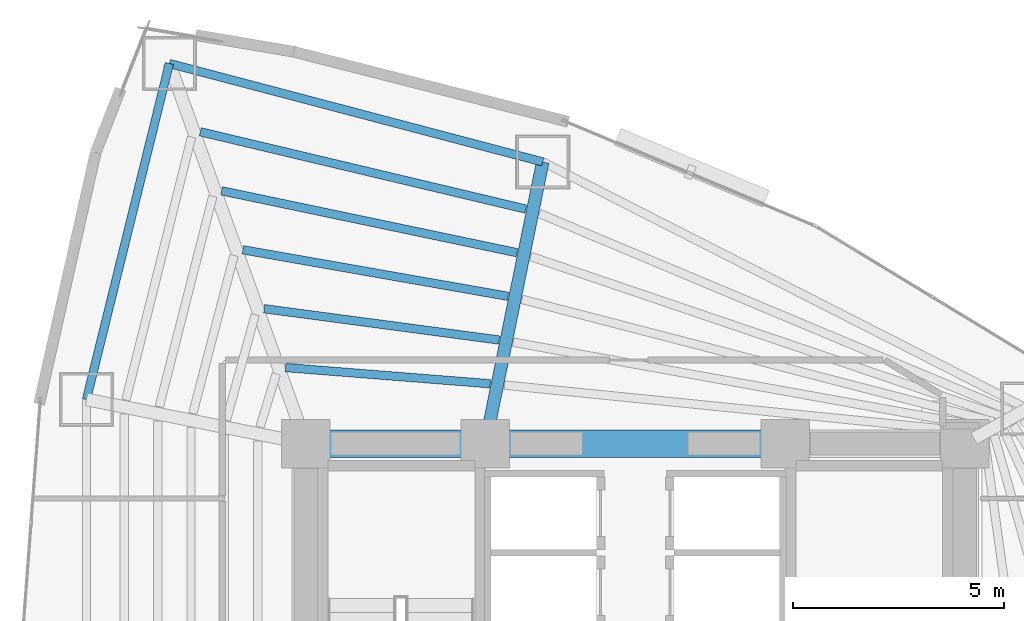
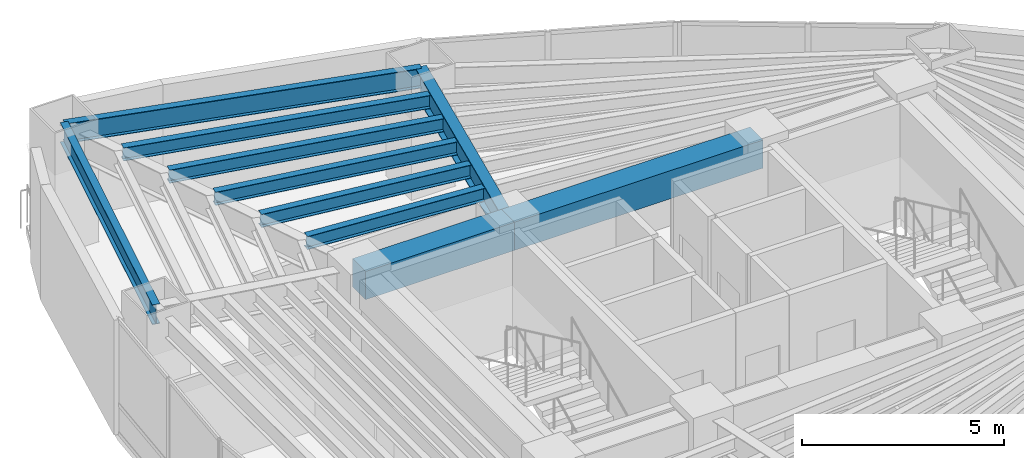
# One storey, part 8 of 18: 10 beams.
"""IFC4 building model written with IfcOpenShell, lengths in metres."""

from ifc_helpers import new_model, si_unit, direction, frame, origin, origin_2d, place, context, subcontext, project, spatial, rectangle, i_section, extrude, material, material_profile, profile_set, type_object, element, save


model = new_model("IFC4")

# Units and contexts
model_context = context("Model", 3, precision=1e-05, world=origin(), true_north=direction((0.0, 1.0)))
body_context = subcontext(model_context, "Body", "Model", "MODEL_VIEW")
ifc_project = project(units=[si_unit("LENGTHUNIT", "METRE"), si_unit("AREAUNIT", "SQUARE_METRE"), si_unit("VOLUMEUNIT", "CUBIC_METRE"), si_unit("PLANEANGLEUNIT", "RADIAN"), si_unit("MASSUNIT", "GRAM", prefix="KILO")], contexts=[model_context])

# Site, building, storey
site_placement = place(None, origin())
site = spatial("IfcSite", under=ifc_project, at=site_placement, CompositionType="ELEMENT")
building_placement = place(site_placement, origin())
building = spatial("IfcBuilding", under=site, at=building_placement, Name="Menara Vayukalpa", CompositionType="ELEMENT")
storey_placement = place(building_placement, frame((0.0, 0.0, 92.820068359375)))
storey = spatial("IfcBuildingStorey", under=building, at=storey_placement, Name="L22", CompositionType="ELEMENT", Elevation=92.820068359375)

# Beams
ifc_material_1 = material(Name="Concrete C60/75", Category="concrete")
ifc_material_profile_1 = material_profile(ifc_material_1, rectangle(XDim=0.64990234375, YDim=0.85009765625, at=origin_2d()), Name="RC 650x850")
ifc_profile_set_1 = profile_set([ifc_material_profile_1], Name="Concrete C60/75")
beam_type_1 = type_object("IfcBeamType", Name="BM-CB1", PredefinedType="BEAM", material=ifc_profile_set_1)
beam_1_placement = place(storey_placement, frame((17.800048828125, 26.800048828125, 3.044921875), z_axis=(1.0, 0.0, 0.0), x_axis=(0.0, 1.0, 0.0)))
element("IfcBeam", 1, at=beam_1_placement, inside=storey, type_object=beam_type_1, Name="L22 Core Tie Beam CBR4", PredefinedType="BEAM", context=body_context, shape_type="SweptSolid", body=[
    extrude(rectangle(XDim=0.64990234375, YDim=0.85009765625, at=origin_2d()), origin(), (0.0, 0.0, 1.0), 4.25),
])
beam_2_placement = place(storey_placement, frame((22.050048828125, 26.800048828125, 3.044921875), z_axis=(1.0, 0.0, 0.0), x_axis=(0.0, 1.0, 0.0)))
element("IfcBeam", 2, at=beam_2_placement, inside=storey, type_object=beam_type_1, Name="L22 Core Tie Beam CBR5", PredefinedType="BEAM", context=body_context, shape_type="SweptSolid", body=[
    extrude(rectangle(XDim=0.64990234375, YDim=0.85009765625, at=origin_2d()), origin(), (0.0, 0.0, 1.0), 7.099853515625),
])
ifc_material_2 = material(Name="Steel S355", Category="steel")
ifc_material_profile_2 = material_profile(ifc_material_2, i_section(OverallWidth=0.300048828125, OverallDepth=0.800048828125, WebThickness=0.013916015625, FlangeThickness=0.02587890625, at=origin_2d()), Name="WF 800x300x14x26")
ifc_profile_set_2 = profile_set([ifc_material_profile_2], Name="Steel S355")
beam_type_2 = type_object("IfcBeamType", Name="BM-PG3", PredefinedType="BEAM", material=ifc_profile_set_2)
beam_3_placement = place(storey_placement, frame((22.099853515625, 27.044921875, 3.06982421875), z_axis=(0.199617728418, 0.9798738503, 0.0), x_axis=(-0.9798738503, 0.199617728418, 0.0)))
element("IfcBeam", 3, at=beam_3_placement, inside=storey, type_object=beam_type_2, Name="L22 Primary Radial Girder RG03", PredefinedType="BEAM", context=body_context, shape_type="SweptSolid", body=[
    extrude(i_section(OverallWidth=0.300048828125, OverallDepth=0.800048828125, WebThickness=0.013916015625, FlangeThickness=0.02587890625, at=origin_2d()), origin(), (0.0, 0.0, 1.0), 6.55419921875),
])
ifc_material_3 = material(Name="Steel S355", Category="steel")
ifc_material_profile_3 = material_profile(ifc_material_3, i_section(OverallWidth=0.199951171875, OverallDepth=0.39990234375, WebThickness=0.008056640625, FlangeThickness=0.012939453125, at=origin_2d()), Name="WF 400x200x8x13")
ifc_profile_set_3 = profile_set([ifc_material_profile_3], Name="Steel S355")
beam_type_3 = type_object("IfcBeamType", Name="BM-SJ2", PredefinedType="JOIST", material=ifc_profile_set_3)
beam_4_placement = place(storey_placement, frame((22.166015625, 28.214599609375, 3.27001953125), z_axis=(-0.996868534468, 0.079076703187, 0.0), x_axis=(-0.079076703187, -0.996868534468, 0.0)))
element("IfcBeam", 4, at=beam_4_placement, inside=storey, type_object=beam_type_3, Name="L22 Secondary Floor Joist SJ03-1", PredefinedType="JOIST", context=body_context, shape_type="SweptSolid", body=[
    extrude(i_section(OverallWidth=0.199951171875, OverallDepth=0.39990234375, WebThickness=0.008056640625, FlangeThickness=0.012939453125, at=origin_2d()), origin(), (0.0, 0.0, 1.0), 4.862548828125),
])
beam_5_placement = place(storey_placement, frame((22.376220703125, 29.251220703125, 3.27001953125), z_axis=(-0.991248408809, 0.132009817941, 0.0), x_axis=(-0.132009817941, -0.991248408809, 0.0)))
element("IfcBeam", 5, at=beam_5_placement, inside=storey, type_object=beam_type_3, Name="L22 Secondary Floor Joist SJ03-2", PredefinedType="JOIST", context=body_context, shape_type="SweptSolid", body=[
    extrude(i_section(OverallWidth=0.199951171875, OverallDepth=0.39990234375, WebThickness=0.008056640625, FlangeThickness=0.012939453125, at=origin_2d()), origin(), (0.0, 0.0, 1.0), 5.611083984375),
])
beam_6_placement = place(storey_placement, frame((22.586669921875, 30.28564453125, 3.27001953125), z_axis=(-0.984953935883, 0.172817083033, 0.0), x_axis=(-0.172817083033, -0.984953935883, 0.0)))
element("IfcBeam", 6, at=beam_6_placement, inside=storey, type_object=beam_type_3, Name="L22 Secondary Floor Joist SJ03-3", PredefinedType="JOIST", context=body_context, shape_type="SweptSolid", body=[
    extrude(i_section(OverallWidth=0.199951171875, OverallDepth=0.39990234375, WebThickness=0.008056640625, FlangeThickness=0.012939453125, at=origin_2d()), origin(), (0.0, 0.0, 1.0), 6.372802734375),
])
beam_7_placement = place(storey_placement, frame((22.797119140625, 31.318603515625, 3.27001953125), z_axis=(-0.978749487369, 0.205059603471, 0.0), x_axis=(-0.205059603471, -0.978749487369, 0.0)))
element("IfcBeam", 7, at=beam_7_placement, inside=storey, type_object=beam_type_3, Name="L22 Secondary Floor Joist SJ03-4", PredefinedType="JOIST", context=body_context, shape_type="SweptSolid", body=[
    extrude(i_section(OverallWidth=0.199951171875, OverallDepth=0.39990234375, WebThickness=0.008056640625, FlangeThickness=0.012939453125, at=origin_2d()), origin(), (0.0, 0.0, 1.0), 7.1435546875),
])
beam_8_placement = place(storey_placement, frame((23.00732421875, 32.3505859375, 3.27001953125), z_axis=(-0.97293603101, 0.231074619036, 0.0), x_axis=(-0.231074619036, -0.97293603101, 0.0)))
element("IfcBeam", 8, at=beam_8_placement, inside=storey, type_object=beam_type_3, Name="L22 Secondary Floor Joist SJ03-5", PredefinedType="JOIST", context=body_context, shape_type="SweptSolid", body=[
    extrude(i_section(OverallWidth=0.199951171875, OverallDepth=0.39990234375, WebThickness=0.008056640625, FlangeThickness=0.012939453125, at=origin_2d()), origin(), (0.0, 0.0, 1.0), 7.9208984375),
])
ifc_material_4 = material(Name="Steel S355", Category="steel")
ifc_material_profile_4 = material_profile(ifc_material_4, i_section(OverallWidth=0.199951171875, OverallDepth=0.60009765625, WebThickness=0.010986328125, FlangeThickness=0.01708984375, at=origin_2d()), Name="WF 600x200x11x17")
ifc_profile_set_4 = profile_set([ifc_material_profile_4], Name="Steel S355")
beam_type_4 = type_object("IfcBeamType", Name="BM-SP1", PredefinedType="SPANDREL", material=ifc_profile_set_4)
beam_9_placement = place(storey_placement, frame((23.408203125, 33.46728515625, 3.169921875), z_axis=(-0.966966857313, 0.254902131921, 0.0), x_axis=(-0.254902131921, -0.966966857313, 0.0)))
element("IfcBeam", 9, at=beam_9_placement, inside=storey, type_object=beam_type_4, Name="L22 Perimeter Spandrel Beam SP03", PredefinedType="SPANDREL", context=body_context, shape_type="SweptSolid", body=[
    extrude(i_section(OverallWidth=0.199951171875, OverallDepth=0.60009765625, WebThickness=0.010986328125, FlangeThickness=0.01708984375, at=origin_2d()), origin(), (0.0, 0.0, 1.0), 9.14111328125),
])
beam_10_placement = place(storey_placement, frame((14.569091796875, 35.79736328125, 3.169921875), z_axis=(-0.239602739234, -0.970871014786, 0.0), x_axis=(0.970871014786, -0.239602739234, 0.0)))
element("IfcBeam", 10, at=beam_10_placement, inside=storey, type_object=beam_type_4, Name="L22 Perimeter Spandrel Beam SP04", PredefinedType="SPANDREL", context=body_context, shape_type="SweptSolid", body=[
    extrude(i_section(OverallWidth=0.199951171875, OverallDepth=0.60009765625, WebThickness=0.010986328125, FlangeThickness=0.01708984375, at=origin_2d()), origin(), (0.0, 0.0, 1.0), 8.190185546875),
])

save(model, "model.ifc")
